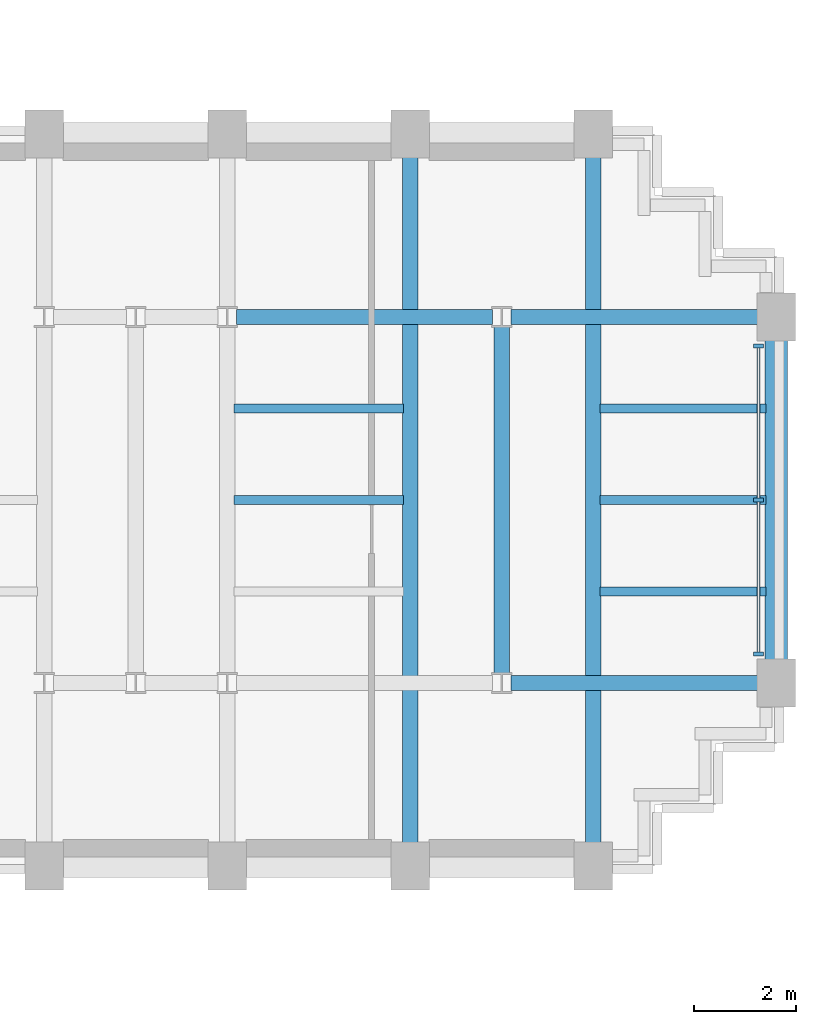
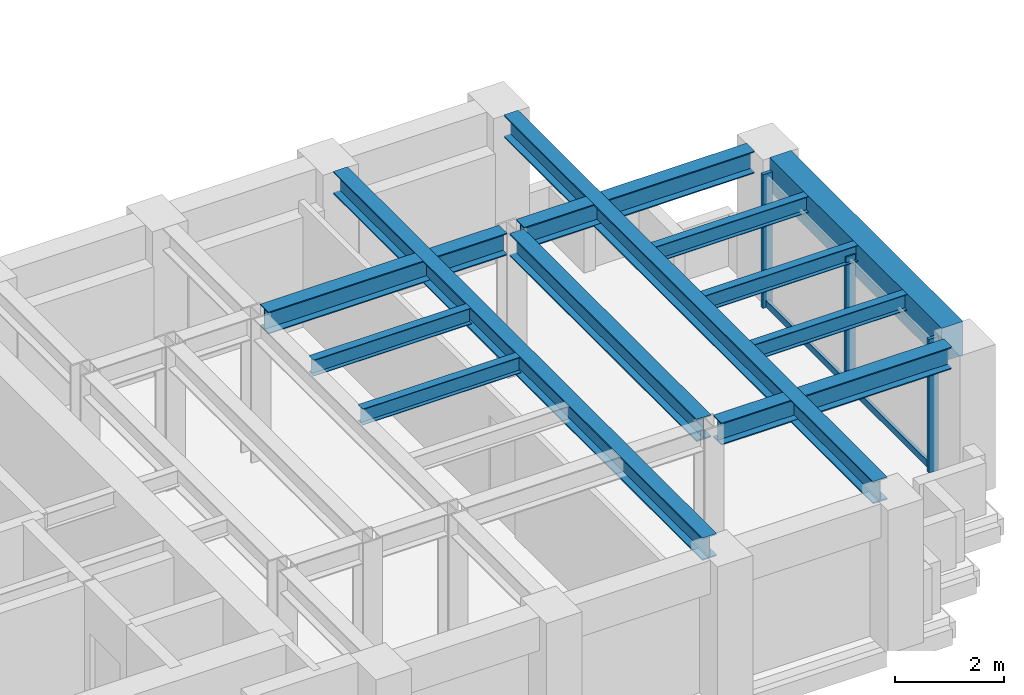
# One storey, part 6 of 16: 12 beams, 5 members, 1 element without a shape of its own.
"""IFC4 building model written with IfcOpenShell, lengths in metres."""

from ifc_helpers import new_model, si_unit, direction, frame, origin, origin_2d, place, context, subcontext, project, spatial, rectangle, i_section, extrude, source, transform, mapped, material, material_profile, profile_set, type_object, element, aggregate, save


model = new_model("IFC4")

# Units and contexts
model_context = context("Model", 3, precision=1e-05, world=origin(), true_north=direction((0.0, 1.0)))
body_context = subcontext(model_context, "Body", "Model", "MODEL_VIEW")
ifc_project = project(units=[si_unit("LENGTHUNIT", "METRE"), si_unit("AREAUNIT", "SQUARE_METRE"), si_unit("VOLUMEUNIT", "CUBIC_METRE"), si_unit("PLANEANGLEUNIT", "RADIAN"), si_unit("MASSUNIT", "GRAM", prefix="KILO")], contexts=[model_context])

# Site, building, storey
site_placement = place(None, origin())
site = spatial("IfcSite", under=ifc_project, at=site_placement, CompositionType="ELEMENT")
building_placement = place(site_placement, origin())
building = spatial("IfcBuilding", under=site, at=building_placement, Name="Keilestroom Media Tower", CompositionType="ELEMENT")
storey_placement = place(building_placement, frame((0.0, 0.0, 54.39990234375)))
storey = spatial("IfcBuildingStorey", under=building, at=storey_placement, Name="L13", CompositionType="ELEMENT", Elevation=54.39990234375)

# Beams
ifc_material_1 = material(Name="Precast concrete C40/50", Category="concrete")
ifc_material_profile_1 = material_profile(ifc_material_1, rectangle(XDim=0.449951171875, YDim=0.75, at=origin_2d()), Name="PC 450x750")
ifc_profile_set_1 = profile_set([ifc_material_profile_1], Name="Precast concrete C40/50")
beam_type_1 = type_object("IfcBeamType", Name="Perimeter-Spandrel-Beam-PC-450x750", PredefinedType="SPANDREL", material=ifc_profile_set_1)
shared_shape_1 = source(origin(), body_context, "Body", "SweptSolid", [
    extrude(rectangle(XDim=0.449951171875, YDim=0.75, at=origin_2d()), origin(), (0.0, 0.0, 1.0), 6.2900390625),
])
beam_1_placement = place(storey_placement, frame((28.800048828125, -3.14501953125, 2.8251953125), z_axis=(0.0, 1.0, 0.0), x_axis=(-1.0, 0.0, 0.0)))
element("IfcBeam", 1, at=beam_1_placement, inside=storey, type_object=beam_type_1, Name="L13 Beam SPB-1 BM-L13-NS-086", PredefinedType="SPANDREL", context=body_context, shape_type="MappedRepresentation", body=[
    mapped(shared_shape_1, transform((0.0, 0.0, 0.0), x_axis=(1.0, 0.0, 0.0), y_axis=(0.0, 1.0, 0.0), z_axis=(0.0, 0.0, 1.0), scale=1.0)),
])
ifc_material_2 = material(Name="Steel S355", Category="steel")
ifc_material_profile_2 = material_profile(ifc_material_2, i_section(OverallWidth=0.300048828125, OverallDepth=0.5, WebThickness=0.012451171875, FlangeThickness=0.028076171875, at=origin_2d()), Name="HEB 500")
ifc_profile_set_2 = profile_set([ifc_material_profile_2], Name="Steel S355")
beam_type_2 = type_object("IfcBeamType", Name="Primary-Structural-Girder-HEB-500", PredefinedType="BEAM", material=ifc_profile_set_2)
shared_shape_2 = source(origin(), body_context, "Body", "SweptSolid", [
    extrude(i_section(OverallWidth=0.300048828125, OverallDepth=0.5, WebThickness=0.012451171875, FlangeThickness=0.028076171875, at=origin_2d()), origin(), (0.0, 0.0, 1.0), 13.490234375),
])
for number, where, z_axis, x_axis, name in (
    (2, (21.60009765625, -6.7451171875, 2.9501953125), (0.0, 1.0, 0.0), (-1.0, 0.0, 0.0), "L13 Beam BG-6 BM-L13-NS-083"),
    (3, (25.199951171875, -6.7451171875, 2.9501953125), (0.0, 1.0, 0.0), (-1.0, 0.0, 0.0), "L13 Beam BG-6 BM-L13-NS-085"),
):
    element("IfcBeam", number, at=place(storey_placement, frame(where, z_axis=z_axis, x_axis=x_axis)), inside=storey, type_object=beam_type_2, Name=name, PredefinedType="BEAM", context=body_context, shape_type="MappedRepresentation", body=[
        mapped(shared_shape_2, transform((0.0, 0.0, 0.0), x_axis=(1.0, 0.0, 0.0), y_axis=(0.0, 1.0, 0.0), z_axis=(0.0, 0.0, 1.0), scale=1.0)),
    ])
shared_shape_3 = source(origin(), body_context, "Body", "SweptSolid", [
    extrude(i_section(OverallWidth=0.300048828125, OverallDepth=0.5, WebThickness=0.012451171875, FlangeThickness=0.028076171875, at=origin_2d()), origin(), (0.0, 0.0, 1.0), 6.8330078125),
])
beam_2_placement = place(storey_placement, frame((23.39990234375, -3.41650390625, 2.9501953125), z_axis=(0.0, 1.0, 0.0), x_axis=(-1.0, 0.0, 0.0)))
element("IfcBeam", 4, at=beam_2_placement, inside=storey, type_object=beam_type_2, Name="L13 Beam BG-6 BM-L13-NS-084", PredefinedType="BEAM", context=body_context, shape_type="MappedRepresentation", body=[
    mapped(shared_shape_3, transform((0.0, 0.0, 0.0), x_axis=(1.0, 0.0, 0.0), y_axis=(0.0, 1.0, 0.0), z_axis=(0.0, 0.0, 1.0), scale=1.0)),
])
ifc_material_profile_3 = material_profile(ifc_material_2, i_section(OverallWidth=0.300048828125, OverallDepth=0.489990234375, WebThickness=0.011962890625, FlangeThickness=0.02294921875, at=origin_2d()), Name="HEA 500")
ifc_profile_set_3 = profile_set([ifc_material_profile_3], Name="Steel S355")
beam_type_3 = type_object("IfcBeamType", Name="Primary-Structural-Girder-HEA-500", PredefinedType="BEAM", material=ifc_profile_set_3)
shared_shape_4 = source(origin(), body_context, "Body", "SweptSolid", [
    extrude(i_section(OverallWidth=0.300048828125, OverallDepth=0.489990234375, WebThickness=0.011962890625, FlangeThickness=0.02294921875, at=origin_2d()), origin(), (0.0, 0.0, 1.0), 4.863037109375),
])
for number, where, z_axis, x_axis, name in (
    (5, (23.58203125, -3.60009765625, 2.955078125), (1.0, 0.0, 0.0), (0.0, 1.0, 0.0), "L13 Beam BG-10 BM-L13-EW-025"),
    (6, (23.58203125, 3.60009765625, 2.955078125), (1.0, 0.0, 0.0), (0.0, 1.0, 0.0), "L13 Beam BG-10 BM-L13-EW-033"),
):
    element("IfcBeam", number, at=place(storey_placement, frame(where, z_axis=z_axis, x_axis=x_axis)), inside=storey, type_object=beam_type_3, Name=name, PredefinedType="BEAM", context=body_context, shape_type="MappedRepresentation", body=[
        mapped(shared_shape_4, transform((0.0, 0.0, 0.0), x_axis=(1.0, 0.0, 0.0), y_axis=(0.0, 1.0, 0.0), z_axis=(0.0, 0.0, 1.0), scale=1.0)),
    ])
shared_shape_5 = source(origin(), body_context, "Body", "SweptSolid", [
    extrude(i_section(OverallWidth=0.300048828125, OverallDepth=0.489990234375, WebThickness=0.011962890625, FlangeThickness=0.02294921875, at=origin_2d()), origin(), (0.0, 0.0, 1.0), 5.0361328125),
])
beam_3_placement = place(storey_placement, frame((18.181884765625, 3.60009765625, 2.955078125), z_axis=(1.0, 0.0, 0.0), x_axis=(0.0, 1.0, 0.0)))
element("IfcBeam", 7, at=beam_3_placement, inside=storey, type_object=beam_type_3, Name="L13 Beam BG-10 BM-L13-EW-032", PredefinedType="BEAM", context=body_context, shape_type="MappedRepresentation", body=[
    mapped(shared_shape_5, transform((0.0, 0.0, 0.0), x_axis=(1.0, 0.0, 0.0), y_axis=(0.0, 1.0, 0.0), z_axis=(0.0, 0.0, 1.0), scale=1.0)),
])
ifc_material_profile_4 = material_profile(ifc_material_2, i_section(OverallWidth=0.169921875, OverallDepth=0.360107421875, WebThickness=0.008056640625, FlangeThickness=0.0126953125, at=origin_2d()), Name="IPE 360")
ifc_profile_set_4 = profile_set([ifc_material_profile_4], Name="Steel S355")
beam_type_4 = type_object("IfcBeamType", Name="Secondary-Floor-Joist-IPE-360", PredefinedType="JOIST", material=ifc_profile_set_4)
shared_shape_6 = source(origin(), body_context, "Body", "SweptSolid", [
    extrude(i_section(OverallWidth=0.169921875, OverallDepth=0.360107421875, WebThickness=0.008056640625, FlangeThickness=0.0126953125, at=origin_2d()), origin(), (0.0, 0.0, 1.0), 3.264892578125),
])
for number, where, z_axis, x_axis, name in (
    (8, (25.330078125, -1.800048828125, 3.02001953125), (1.0, 0.0, 0.0), (0.0, 1.0, 0.0), "L13 Beam BJ-5 JST-L13-095"),
    (9, (25.330078125, 0.0, 3.02001953125), (1.0, 0.0, 0.0), (0.0, 1.0, 0.0), "L13 Beam BJ-5 JST-L13-102"),
    (10, (25.330078125, 1.800048828125, 3.02001953125), (1.0, 0.0, 0.0), (0.0, 1.0, 0.0), "L13 Beam BJ-5 JST-L13-109"),
):
    element("IfcBeam", number, at=place(storey_placement, frame(where, z_axis=z_axis, x_axis=x_axis)), inside=storey, type_object=beam_type_4, Name=name, PredefinedType="JOIST", context=body_context, shape_type="MappedRepresentation", body=[
        mapped(shared_shape_6, transform((0.0, 0.0, 0.0), x_axis=(1.0, 0.0, 0.0), y_axis=(0.0, 1.0, 0.0), z_axis=(0.0, 0.0, 1.0), scale=1.0)),
    ])
shared_shape_7 = source(origin(), body_context, "Body", "SweptSolid", [
    extrude(i_section(OverallWidth=0.169921875, OverallDepth=0.360107421875, WebThickness=0.008056640625, FlangeThickness=0.0126953125, at=origin_2d()), origin(), (0.0, 0.0, 1.0), 3.340087890625),
])
for number, where, z_axis, x_axis, name in (
    (11, (18.1298828125, 0.0, 3.02001953125), (1.0, 0.0, 0.0), (0.0, 1.0, 0.0), "L13 Beam BJ-5 JST-L13-101"),
    (12, (18.1298828125, 1.800048828125, 3.02001953125), (1.0, 0.0, 0.0), (0.0, 1.0, 0.0), "L13 Beam BJ-5 JST-L13-108"),
):
    element("IfcBeam", number, at=place(storey_placement, frame(where, z_axis=z_axis, x_axis=x_axis)), inside=storey, type_object=beam_type_4, Name=name, PredefinedType="JOIST", context=body_context, shape_type="MappedRepresentation", body=[
        mapped(shared_shape_7, transform((0.0, 0.0, 0.0), x_axis=(1.0, 0.0, 0.0), y_axis=(0.0, 1.0, 0.0), z_axis=(0.0, 0.0, 1.0), scale=1.0)),
    ])

# Curtain wall, members
ifc_material_3 = material(Name="Anodised Aluminium Alloy", Category="aluminium")
curtain_wall_type = type_object("IfcCurtainWallType", Name="Unitised-Curtain-Wall-CW-1", PredefinedType="NOTDEFINED", material=ifc_material_3)
curtain_wall_placement = place(storey_placement, origin())
curtain_wall = element("IfcCurtainWall", 13, at=curtain_wall_placement, inside=storey, type_object=curtain_wall_type, Name="L13 Curtain Wall CW-1 CW-L13-E-1", PredefinedType="NOTDEFINED")
ifc_material_profile_5 = material_profile(ifc_material_3, rectangle(XDim=0.070068359375, YDim=0.199951171875, at=origin_2d()), Name="ALU MULLION 70x200")
ifc_profile_set_5 = profile_set([ifc_material_profile_5], Name="Anodised Aluminium Alloy")
member_type_1 = type_object("IfcMemberType", Name="Curtain-Wall-Mullion-CW-1", PredefinedType="MULLION", material=ifc_profile_set_5)
shared_shape_8 = source(origin(), body_context, "Body", "SweptSolid", [
    extrude(rectangle(XDim=0.070068359375, YDim=0.199951171875, at=origin_2d()), origin(), (0.0, 0.0, 1.0), 2.97998046875),
])
member_1_placement = place(storey_placement, frame((28.449951171875, -3.030029296875, 0.0), z_axis=(0.0, 0.0, 1.0), x_axis=(0.0, 1.0, 0.0)))
member_1 = element("IfcMember", 14, at=member_1_placement, type_object=member_type_1, Name="CW-1 Mullion 00", PredefinedType="MULLION", context=body_context, shape_type="MappedRepresentation", body=[
    mapped(shared_shape_8, transform((0.0, 0.0, 0.0), x_axis=(1.0, 0.0, 0.0), y_axis=(0.0, 1.0, 0.0), z_axis=(0.0, 0.0, 1.0), scale=1.0)),
])
member_2_placement = place(storey_placement, frame((28.449951171875, 0.0, 0.0), z_axis=(0.0, 0.0, 1.0), x_axis=(0.0, 1.0, 0.0)))
member_2 = element("IfcMember", 15, at=member_2_placement, type_object=member_type_1, Name="CW-1 Mullion 01", PredefinedType="MULLION", context=body_context, shape_type="MappedRepresentation", body=[
    mapped(shared_shape_8, transform((0.0, 0.0, 0.0), x_axis=(1.0, 0.0, 0.0), y_axis=(0.0, 1.0, 0.0), z_axis=(0.0, 0.0, 1.0), scale=1.0)),
])
member_3_placement = place(storey_placement, frame((28.449951171875, 3.030029296875, 0.0), z_axis=(0.0, 0.0, 1.0), x_axis=(0.0, 1.0, 0.0)))
member_3 = element("IfcMember", 16, at=member_3_placement, type_object=member_type_1, Name="CW-1 Mullion 02", PredefinedType="MULLION", context=body_context, shape_type="MappedRepresentation", body=[
    mapped(shared_shape_8, transform((0.0, 0.0, 0.0), x_axis=(1.0, 0.0, 0.0), y_axis=(0.0, 1.0, 0.0), z_axis=(0.0, 0.0, 1.0), scale=1.0)),
])
ifc_material_profile_6 = material_profile(ifc_material_3, rectangle(XDim=0.06494140625, YDim=0.14990234375, at=origin_2d()), Name="ALU TRANSOM 65x150")
ifc_profile_set_6 = profile_set([ifc_material_profile_6], Name="Anodised Aluminium Alloy")
member_type_2 = type_object("IfcMemberType", Name="Curtain-Wall-Transom-CW-1", PredefinedType="USERDEFINED", material=ifc_profile_set_6)
shared_shape_9 = source(origin(), body_context, "Body", "SweptSolid", [
    extrude(rectangle(XDim=0.06494140625, YDim=0.14990234375, at=origin_2d()), origin(), (0.0, 0.0, 1.0), 2.964111328125),
])
member_4_placement = place(storey_placement, frame((28.449951171875, -2.9970703125, 0.0751953125), z_axis=(0.0, 1.0, 0.0), x_axis=(-1.0, 0.0, 0.0)))
member_4 = element("IfcMember", 17, at=member_4_placement, type_object=member_type_2, Name="CW-1 Transom 00.1", ObjectType="TRANSOM", PredefinedType="USERDEFINED", context=body_context, shape_type="MappedRepresentation", body=[
    mapped(shared_shape_9, transform((0.0, 0.0, 0.0), x_axis=(1.0, 0.0, 0.0), y_axis=(0.0, 1.0, 0.0), z_axis=(0.0, 0.0, 1.0), scale=1.0)),
])
member_5_placement = place(storey_placement, frame((28.449951171875, 0.032958984375, 0.0751953125), z_axis=(0.0, 1.0, 0.0), x_axis=(-1.0, 0.0, 0.0)))
member_5 = element("IfcMember", 18, at=member_5_placement, type_object=member_type_2, Name="CW-1 Transom 01.1", ObjectType="TRANSOM", PredefinedType="USERDEFINED", context=body_context, shape_type="MappedRepresentation", body=[
    mapped(shared_shape_9, transform((0.0, 0.0, 0.0), x_axis=(1.0, 0.0, 0.0), y_axis=(0.0, 1.0, 0.0), z_axis=(0.0, 0.0, 1.0), scale=1.0)),
])
aggregate(curtain_wall, [member_1, member_2, member_3, member_4, member_5])

save(model, "model.ifc")
